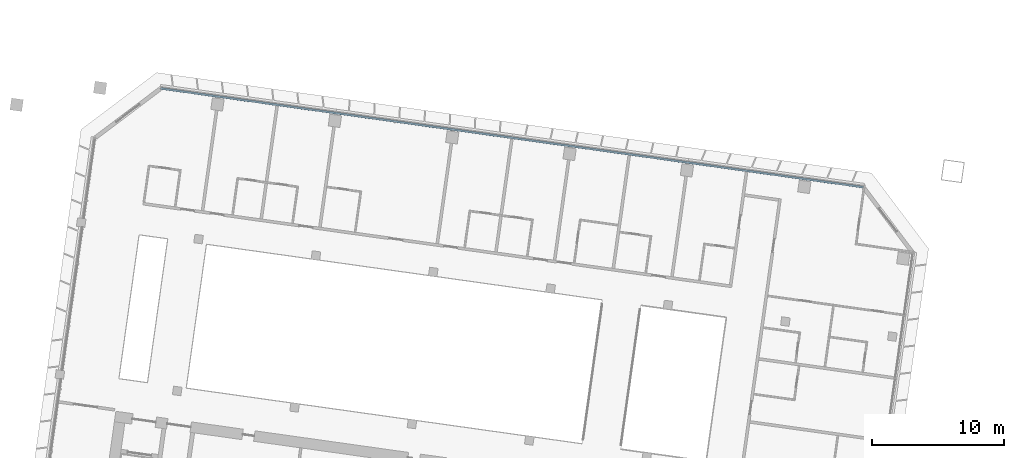
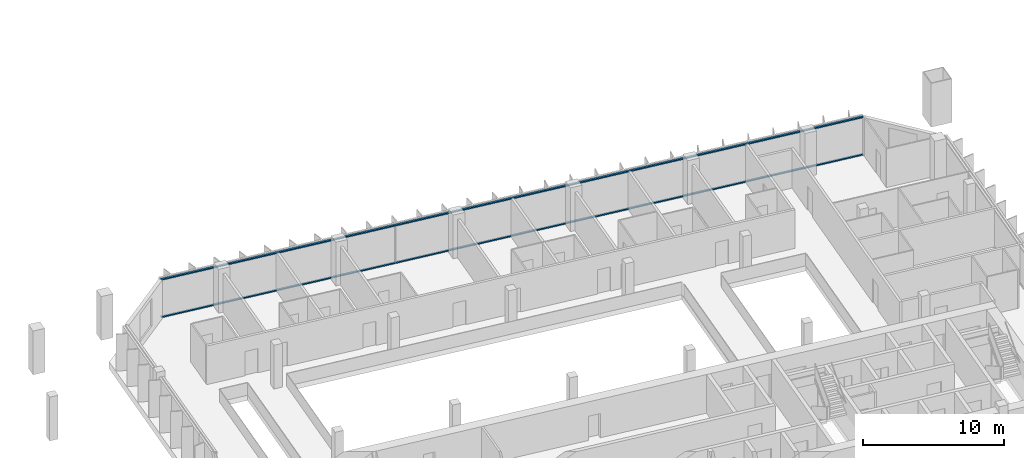
# One storey, part 4 of 26: 2 members, 1 element without a shape of its own.
"""IFC4 building model written with IfcOpenShell, lengths in metres."""

from ifc_helpers import new_model, si_unit, direction, frame, origin, origin_2d, place, context, subcontext, project, spatial, rectangle, extrude, material, material_profile, profile_set, type_object, element, aggregate, save


model = new_model("IFC4")

# Units and contexts
model_context = context("Model", 3, precision=1e-05, world=origin(), true_north=direction((0.0, 1.0)))
body_context = subcontext(model_context, "Body", "Model", "MODEL_VIEW")
ifc_project = project(units=[si_unit("LENGTHUNIT", "METRE"), si_unit("AREAUNIT", "SQUARE_METRE"), si_unit("VOLUMEUNIT", "CUBIC_METRE"), si_unit("PLANEANGLEUNIT", "RADIAN"), si_unit("MASSUNIT", "GRAM", prefix="KILO")], contexts=[model_context])

# Site, building, storey
site_placement = place(None, origin())
site = spatial("IfcSite", under=ifc_project, at=site_placement, CompositionType="ELEMENT")
building_placement = place(site_placement, origin())
building = spatial("IfcBuilding", under=site, at=building_placement, Name="Mirante Cascada Hotel Towers", CompositionType="ELEMENT")
storey_placement = place(building_placement, frame((0.0, 0.0, 98.7)))
storey = spatial("IfcBuildingStorey", under=building, at=storey_placement, Name="L21", CompositionType="ELEMENT", Elevation=98.7)

# Curtain wall, members
ifc_material_1 = material(Name="Aluminium mullion and transom frame with clear laminated glass", Category="aluminium")
curtain_wall_type = type_object("IfcCurtainWallType", Name="Ribbon curtain wall ECW1", PredefinedType="NOTDEFINED", material=ifc_material_1)
curtain_wall_placement = place(storey_placement, origin())
curtain_wall = element("IfcCurtainWall", 1, at=curtain_wall_placement, inside=storey, type_object=curtain_wall_type, Name="Front ribbon wall T1 L21", PredefinedType="NOTDEFINED")
ifc_material_2 = material(Name="Anodised aluminium extrusion", Category="aluminium")
ifc_material_profile = material_profile(ifc_material_2, rectangle(XDim=0.16, YDim=0.1, at=origin_2d()), Name="ECW1 TRANSOM 100x160")
ifc_profile_set = profile_set([ifc_material_profile], Name="Anodised aluminium extrusion")
member_type = type_object("IfcMemberType", Name="ECW1 transom 100x160", PredefinedType="USERDEFINED", material=ifc_profile_set)
member_1_placement = place(storey_placement, frame((-85.2457, 24.7995, 0.05), z_axis=(0.9902682, -0.1391722, 0.0), x_axis=(0.1391722, 0.9902682, 0.0)))
member_1 = element("IfcMember", 2, at=member_1_placement, type_object=member_type, Name="ECW1 sill transom", ObjectType="TRANSOM", PredefinedType="USERDEFINED", context=body_context, shape_type="SweptSolid", body=[
    extrude(rectangle(XDim=0.16, YDim=0.1, at=origin_2d()), origin(), (0.0, 0.0, 1.0), 53.8757),
])
member_2_placement = place(storey_placement, frame((-85.2457, 24.7995, 3.3), z_axis=(0.9902682, -0.1391722, 0.0), x_axis=(0.1391722, 0.9902682, 0.0)))
member_2 = element("IfcMember", 3, at=member_2_placement, type_object=member_type, Name="ECW1 head transom", ObjectType="TRANSOM", PredefinedType="USERDEFINED", context=body_context, shape_type="SweptSolid", body=[
    extrude(rectangle(XDim=0.16, YDim=0.1, at=origin_2d()), origin(), (0.0, 0.0, 1.0), 53.8757),
])
aggregate(curtain_wall, [member_1, member_2])

save(model, "model.ifc")
